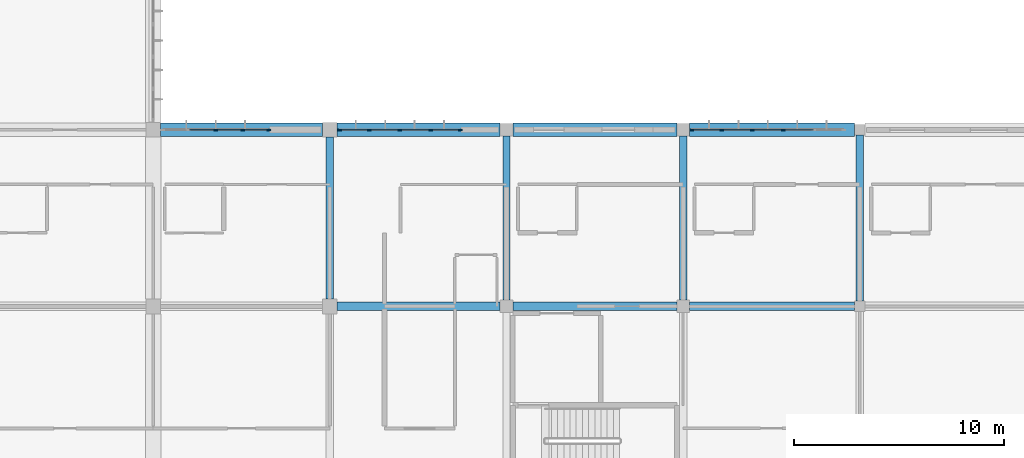
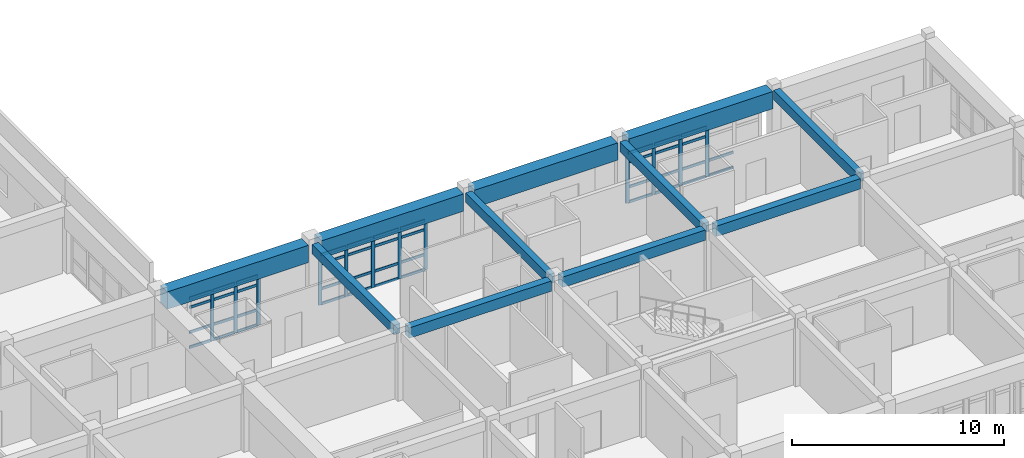
# One storey, part 45 of 119: 54 members, 11 beams, 3 elements without a shape of their own.
"""IFC4 building model written with IfcOpenShell, lengths in metres."""

from ifc_helpers import new_model, si_unit, direction, frame, origin, origin_2d, place, context, subcontext, project, spatial, rectangle, extrude, material, layer, layer_set, material_profile, profile_set, type_object, element, aggregate, save


model = new_model("IFC4")

# Units and contexts
model_context = context("Model", 3, precision=1e-05, world=origin(), true_north=direction((0.0, 1.0)))
body_context = subcontext(model_context, "Body", "Model", "MODEL_VIEW")
ifc_project = project(units=[si_unit("LENGTHUNIT", "METRE"), si_unit("AREAUNIT", "SQUARE_METRE"), si_unit("VOLUMEUNIT", "CUBIC_METRE"), si_unit("PLANEANGLEUNIT", "RADIAN"), si_unit("MASSUNIT", "GRAM", prefix="KILO")], contexts=[model_context])

# Site, building, storey
site_placement = place(None, origin())
site = spatial("IfcSite", under=ifc_project, at=site_placement, CompositionType="ELEMENT")
building_placement = place(site_placement, origin())
building = spatial("IfcBuilding", under=site, at=building_placement, Name="Bramfleet General Hospital", CompositionType="ELEMENT")
storey_placement = place(building_placement, frame((0.0, 0.0, 14.39990234375)))
storey = spatial("IfcBuildingStorey", under=building, at=storey_placement, Name="L03", CompositionType="ELEMENT", Elevation=14.39990234375)

# Beams
ifc_material_1 = material(Name="Concrete C35/45", Category="concrete")
ifc_material_profile_1 = material_profile(ifc_material_1, rectangle(XDim=0.35009765625, YDim=0.550048828125, at=origin_2d()), Name="RC BM 550x350")
ifc_profile_set_1 = profile_set([ifc_material_profile_1], Name="Concrete C35/45")
beam_type_1 = type_object("IfcBeamType", Name="BM-RC550", PredefinedType="BEAM", material=ifc_profile_set_1)
beam_1_placement = place(storey_placement, frame((134.39990234375, 17.14990234375, 3.625), z_axis=(0.0, 1.0, 0.0), x_axis=(-1.0, 0.0, 0.0)))
element("IfcBeam", 1, at=beam_1_placement, inside=storey, type_object=beam_type_1, Name="L03 Grid Beam Y 16-02", PredefinedType="BEAM", context=body_context, shape_type="SweptSolid", body=[
    extrude(rectangle(XDim=0.35009765625, YDim=0.550048828125, at=origin_2d()), origin(), (0.0, 0.0, 1.0), 7.7001953125),
])
for number, where, z_axis, x_axis, name in (
    (2, (142.800048828125, 17.10009765625, 3.625), (0.0, 1.0, 0.0), (-1.0, 0.0, 0.0), "L03 Grid Beam Y 17-02"),
    (3, (151.199951171875, 17.10009765625, 3.625), (0.0, 1.0, 0.0), (-1.0, 0.0, 0.0), "L03 Grid Beam Y 18-02"),
):
    element("IfcBeam", number, at=place(storey_placement, frame(where, z_axis=z_axis, x_axis=x_axis)), inside=storey, type_object=beam_type_1, Name=name, PredefinedType="BEAM", context=body_context, shape_type="SweptSolid", body=[
        extrude(rectangle(XDim=0.35009765625, YDim=0.550048828125, at=origin_2d()), origin(), (0.0, 0.0, 1.0), 7.7998046875),
    ])
beam_2_placement = place(storey_placement, frame((159.60009765625, 17.050048828125, 3.625), z_axis=(0.0, 1.0, 0.0), x_axis=(-1.0, 0.0, 0.0)))
element("IfcBeam", 4, at=beam_2_placement, inside=storey, type_object=beam_type_1, Name="L03 Grid Beam Y 19-02", PredefinedType="BEAM", context=body_context, shape_type="SweptSolid", body=[
    extrude(rectangle(XDim=0.35009765625, YDim=0.550048828125, at=origin_2d()), origin(), (0.0, 0.0, 1.0), 7.89990234375),
])
ifc_material_profile_2 = material_profile(ifc_material_1, rectangle(XDim=0.39990234375, YDim=0.60009765625, at=origin_2d()), Name="RC BM 600x400")
ifc_profile_set_2 = profile_set([ifc_material_profile_2], Name="Concrete C35/45")
beam_type_2 = type_object("IfcBeamType", Name="BM-RC600", PredefinedType="BEAM", material=ifc_profile_set_2)
beam_3_placement = place(storey_placement, frame((134.75, 16.800048828125, 3.60009765625), z_axis=(1.0, 0.0, 0.0), x_axis=(0.0, 1.0, 0.0)))
element("IfcBeam", 5, at=beam_3_placement, inside=storey, type_object=beam_type_2, Name="L03 Grid Beam X 16-02", PredefinedType="BEAM", context=body_context, shape_type="SweptSolid", body=[
    extrude(rectangle(XDim=0.39990234375, YDim=0.60009765625, at=origin_2d()), origin(), (0.0, 0.0, 1.0), 7.75),
])
beam_4_placement = place(storey_placement, frame((143.10009765625, 16.800048828125, 3.60009765625), z_axis=(1.0, 0.0, 0.0), x_axis=(0.0, 1.0, 0.0)))
element("IfcBeam", 6, at=beam_4_placement, inside=storey, type_object=beam_type_2, Name="L03 Grid Beam X 17-02", PredefinedType="BEAM", context=body_context, shape_type="SweptSolid", body=[
    extrude(rectangle(XDim=0.39990234375, YDim=0.60009765625, at=origin_2d()), origin(), (0.0, 0.0, 1.0), 7.7998046875),
])
beam_5_placement = place(storey_placement, frame((151.5, 16.800048828125, 3.60009765625), z_axis=(1.0, 0.0, 0.0), x_axis=(0.0, 1.0, 0.0)))
element("IfcBeam", 7, at=beam_5_placement, inside=storey, type_object=beam_type_2, Name="L03 Grid Beam X 18-02", PredefinedType="BEAM", context=body_context, shape_type="SweptSolid", body=[
    extrude(rectangle(XDim=0.39990234375, YDim=0.60009765625, at=origin_2d()), origin(), (0.0, 0.0, 1.0), 7.85009765625),
])
ifc_material_2 = material(Name="Concrete C40/50", Category="concrete")
ifc_material_profile_3 = material_profile(ifc_material_2, rectangle(XDim=0.64990234375, YDim=1.0, at=origin_2d()), Name="RC TG 1000x650")
ifc_profile_set_3 = profile_set([ifc_material_profile_3], Name="Concrete C40/50")
beam_type_3 = type_object("IfcBeamType", Name="BM-TG1000", PredefinedType="BEAM", material=ifc_profile_set_3)
beam_6_placement = place(storey_placement, frame((126.35009765625, 25.199951171875, 3.400146484375), z_axis=(1.0, 0.0, 0.0), x_axis=(0.0, 1.0, 0.0)))
element("IfcBeam", 8, at=beam_6_placement, inside=storey, type_object=beam_type_3, Name="L03 Transfer Girder X 15-03", PredefinedType="BEAM", context=body_context, shape_type="SweptSolid", body=[
    extrude(rectangle(XDim=0.64990234375, YDim=1.0, at=origin_2d()), origin(), (0.0, 0.0, 1.0), 7.699951171875),
])
beam_7_placement = place(storey_placement, frame((134.75, 25.199951171875, 3.400146484375), z_axis=(1.0, 0.0, 0.0), x_axis=(0.0, 1.0, 0.0)))
element("IfcBeam", 9, at=beam_7_placement, inside=storey, type_object=beam_type_3, Name="L03 Transfer Girder X 16-03", PredefinedType="BEAM", context=body_context, shape_type="SweptSolid", body=[
    extrude(rectangle(XDim=0.64990234375, YDim=1.0, at=origin_2d()), origin(), (0.0, 0.0, 1.0), 7.75),
])
beam_8_placement = place(storey_placement, frame((143.10009765625, 25.199951171875, 3.400146484375), z_axis=(1.0, 0.0, 0.0), x_axis=(0.0, 1.0, 0.0)))
element("IfcBeam", 10, at=beam_8_placement, inside=storey, type_object=beam_type_3, Name="L03 Transfer Girder X 17-03", PredefinedType="BEAM", context=body_context, shape_type="SweptSolid", body=[
    extrude(rectangle(XDim=0.64990234375, YDim=1.0, at=origin_2d()), origin(), (0.0, 0.0, 1.0), 7.7998046875),
])
beam_9_placement = place(storey_placement, frame((151.5, 25.199951171875, 3.400146484375), z_axis=(1.0, 0.0, 0.0), x_axis=(0.0, 1.0, 0.0)))
element("IfcBeam", 11, at=beam_9_placement, inside=storey, type_object=beam_type_3, Name="L03 Transfer Girder X 18-03", PredefinedType="BEAM", context=body_context, shape_type="SweptSolid", body=[
    extrude(rectangle(XDim=0.64990234375, YDim=1.0, at=origin_2d()), origin(), (0.0, 0.0, 1.0), 7.85009765625),
])

# Curtain wall, members
ifc_material_3 = material(Name="Anodised aluminium and low-E triple glazing", Category="aluminium")
ifc_layer_1 = layer(ifc_material_3, 0.179931640625, Name="CWT-CW-02")
ifc_layer_set_1 = layer_set([ifc_layer_1], Name="Anodised aluminium and low-E triple glazing")
curtain_wall_type_1 = type_object("IfcCurtainWallType", Name="CWT-CW-02", PredefinedType="USERDEFINED", material=ifc_layer_set_1)
curtain_wall_1_placement = place(storey_placement, origin())
curtain_wall_1 = element("IfcCurtainWall", 12, at=curtain_wall_1_placement, inside=storey, type_object=curtain_wall_type_1, Name="L03 Curtain Wall 164", ObjectType="Unitised curtain wall", PredefinedType="USERDEFINED")
ifc_material_4 = material(Name="Structural timber GL28h", Category="wood")
ifc_material_profile_4 = material_profile(ifc_material_4, rectangle(XDim=0.070068359375, YDim=0.18994140625, at=origin_2d()), Name="LARCH 190x70")
ifc_profile_set_4 = profile_set([ifc_material_profile_4], Name="Structural timber GL28h")
member_type_1 = type_object("IfcMemberType", Name="CWM-LARCH450", PredefinedType="MULLION", material=ifc_profile_set_4)
member_1_placement = place(storey_placement, frame((128.972900390625, 25.199951171875, 0.0), z_axis=(0.0, 0.0, 1.0), x_axis=(0.0, 1.0, 0.0)))
member_1 = element("IfcMember", 13, at=member_1_placement, type_object=member_type_1, Name="CW-02 mullion 3", PredefinedType="MULLION", context=body_context, shape_type="SweptSolid", body=[
    extrude(rectangle(XDim=0.070068359375, YDim=0.18994140625, at=origin_2d()), origin(), (0.0, 0.0, 1.0), 2.89013671875),
])
member_2_placement = place(storey_placement, frame((130.2470703125, 25.199951171875, 0.0), z_axis=(0.0, 0.0, 1.0), x_axis=(0.0, 1.0, 0.0)))
member_2 = element("IfcMember", 14, at=member_2_placement, type_object=member_type_1, Name="CW-02 mullion 4", PredefinedType="MULLION", context=body_context, shape_type="SweptSolid", body=[
    extrude(rectangle(XDim=0.070068359375, YDim=0.18994140625, at=origin_2d()), origin(), (0.0, 0.0, 1.0), 2.89013671875),
])
member_3_placement = place(storey_placement, frame((131.486083984375, 25.199951171875, 0.0), z_axis=(0.0, 0.0, 1.0), x_axis=(0.0, 1.0, 0.0)))
member_3 = element("IfcMember", 15, at=member_3_placement, type_object=member_type_1, Name="CW-02 mullion 5", PredefinedType="MULLION", context=body_context, shape_type="SweptSolid", body=[
    extrude(rectangle(XDim=0.070068359375, YDim=0.18994140625, at=origin_2d()), origin(), (0.0, 0.0, 1.0), 2.89013671875),
])

ifc_layer_2 = layer(ifc_material_3, 0.179931640625, Name="CWT-CW-03")
ifc_layer_set_2 = layer_set([ifc_layer_2], Name="Anodised aluminium and low-E triple glazing")
curtain_wall_type_2 = type_object("IfcCurtainWallType", Name="CWT-CW-03", PredefinedType="USERDEFINED", material=ifc_layer_set_2)
curtain_wall_2_placement = place(storey_placement, origin())
curtain_wall_2 = element("IfcCurtainWall", 16, at=curtain_wall_2_placement, inside=storey, type_object=curtain_wall_type_2, Name="L03 Curtain Wall 165", ObjectType="Unitised curtain wall", PredefinedType="USERDEFINED")
member_4_placement = place(storey_placement, frame((134.860107421875, 25.199951171875, 0.0), z_axis=(0.0, 0.0, 1.0), x_axis=(0.0, 1.0, 0.0)))
member_4 = element("IfcMember", 17, at=member_4_placement, type_object=member_type_1, Name="CW-03 mullion 1", PredefinedType="MULLION", context=body_context, shape_type="SweptSolid", body=[
    extrude(rectangle(XDim=0.070068359375, YDim=0.18994140625, at=origin_2d()), origin(), (0.0, 0.0, 1.0), 2.89013671875),
])
member_5_placement = place(storey_placement, frame((136.279052734375, 25.199951171875, 0.0), z_axis=(0.0, 0.0, 1.0), x_axis=(0.0, 1.0, 0.0)))
member_5 = element("IfcMember", 18, at=member_5_placement, type_object=member_type_1, Name="CW-03 mullion 2", PredefinedType="MULLION", context=body_context, shape_type="SweptSolid", body=[
    extrude(rectangle(XDim=0.070068359375, YDim=0.18994140625, at=origin_2d()), origin(), (0.0, 0.0, 1.0), 2.89013671875),
])
member_6_placement = place(storey_placement, frame((137.73291015625, 25.199951171875, 0.0), z_axis=(0.0, 0.0, 1.0), x_axis=(0.0, 1.0, 0.0)))
member_6 = element("IfcMember", 19, at=member_6_placement, type_object=member_type_1, Name="CW-03 mullion 3", PredefinedType="MULLION", context=body_context, shape_type="SweptSolid", body=[
    extrude(rectangle(XDim=0.070068359375, YDim=0.18994140625, at=origin_2d()), origin(), (0.0, 0.0, 1.0), 2.89013671875),
])
member_7_placement = place(storey_placement, frame((139.18701171875, 25.199951171875, 0.0), z_axis=(0.0, 0.0, 1.0), x_axis=(0.0, 1.0, 0.0)))
member_7 = element("IfcMember", 20, at=member_7_placement, type_object=member_type_1, Name="CW-03 mullion 4", PredefinedType="MULLION", context=body_context, shape_type="SweptSolid", body=[
    extrude(rectangle(XDim=0.070068359375, YDim=0.18994140625, at=origin_2d()), origin(), (0.0, 0.0, 1.0), 2.89013671875),
])
member_8_placement = place(storey_placement, frame((140.60595703125, 25.199951171875, 0.0), z_axis=(0.0, 0.0, 1.0), x_axis=(0.0, 1.0, 0.0)))
member_8 = element("IfcMember", 21, at=member_8_placement, type_object=member_type_1, Name="CW-03 mullion 5", PredefinedType="MULLION", context=body_context, shape_type="SweptSolid", body=[
    extrude(rectangle(XDim=0.070068359375, YDim=0.18994140625, at=origin_2d()), origin(), (0.0, 0.0, 1.0), 2.89013671875),
])

ifc_layer_3 = layer(ifc_material_3, 0.179931640625, Name="CWT-CW-04")
ifc_layer_set_3 = layer_set([ifc_layer_3], Name="Anodised aluminium and low-E triple glazing")
curtain_wall_type_3 = type_object("IfcCurtainWallType", Name="CWT-CW-04", PredefinedType="USERDEFINED", material=ifc_layer_set_3)
curtain_wall_3_placement = place(storey_placement, origin())
curtain_wall_3 = element("IfcCurtainWall", 22, at=curtain_wall_3_placement, inside=storey, type_object=curtain_wall_type_3, Name="L03 Curtain Wall 166", ObjectType="Unitised curtain wall", PredefinedType="USERDEFINED")
member_9_placement = place(storey_placement, frame((151.610107421875, 25.199951171875, 0.0), z_axis=(0.0, 0.0, 1.0), x_axis=(0.0, 1.0, 0.0)))
member_9 = element("IfcMember", 23, at=member_9_placement, type_object=member_type_1, Name="CW-04 mullion 1", PredefinedType="MULLION", context=body_context, shape_type="SweptSolid", body=[
    extrude(rectangle(XDim=0.070068359375, YDim=0.18994140625, at=origin_2d()), origin(), (0.0, 0.0, 1.0), 2.89013671875),
])
member_10_placement = place(storey_placement, frame((153.035888671875, 25.199951171875, 0.0), z_axis=(0.0, 0.0, 1.0), x_axis=(0.0, 1.0, 0.0)))
member_10 = element("IfcMember", 24, at=member_10_placement, type_object=member_type_1, Name="CW-04 mullion 2", PredefinedType="MULLION", context=body_context, shape_type="SweptSolid", body=[
    extrude(rectangle(XDim=0.070068359375, YDim=0.18994140625, at=origin_2d()), origin(), (0.0, 0.0, 1.0), 2.89013671875),
])
member_11_placement = place(storey_placement, frame((154.4970703125, 25.199951171875, 0.0), z_axis=(0.0, 0.0, 1.0), x_axis=(0.0, 1.0, 0.0)))
member_11 = element("IfcMember", 25, at=member_11_placement, type_object=member_type_1, Name="CW-04 mullion 3", PredefinedType="MULLION", context=body_context, shape_type="SweptSolid", body=[
    extrude(rectangle(XDim=0.070068359375, YDim=0.18994140625, at=origin_2d()), origin(), (0.0, 0.0, 1.0), 2.89013671875),
])
member_12_placement = place(storey_placement, frame((155.9580078125, 25.199951171875, 0.0), z_axis=(0.0, 0.0, 1.0), x_axis=(0.0, 1.0, 0.0)))
member_12 = element("IfcMember", 26, at=member_12_placement, type_object=member_type_1, Name="CW-04 mullion 4", PredefinedType="MULLION", context=body_context, shape_type="SweptSolid", body=[
    extrude(rectangle(XDim=0.070068359375, YDim=0.18994140625, at=origin_2d()), origin(), (0.0, 0.0, 1.0), 2.89013671875),
])

# Member
ifc_material_profile_5 = material_profile(ifc_material_4, rectangle(XDim=0.06494140625, YDim=0.14990234375, at=origin_2d()), Name="LARCH 150x65")
ifc_profile_set_5 = profile_set([ifc_material_profile_5], Name="Structural timber GL28h")
member_type_2 = type_object("IfcMemberType", Name="CWT-LARCH220", PredefinedType="USERDEFINED", material=ifc_profile_set_5)
member_13_placement = place(storey_placement, frame((127.73388671875, 25.199951171875, 0.03271484375), z_axis=(1.0, 0.0, 0.0), x_axis=(0.0, 1.0, 0.0)))
member_13 = element("IfcMember", 27, at=member_13_placement, type_object=member_type_2, Name="CW-02 transom 2.1", ObjectType="TRANSOM", PredefinedType="USERDEFINED", context=body_context, shape_type="SweptSolid", body=[
    extrude(rectangle(XDim=0.06494140625, YDim=0.14990234375, at=origin_2d()), origin(), (0.0, 0.0, 1.0), 1.2041015625),
])

member_14_placement = place(storey_placement, frame((127.73388671875, 25.199951171875, 0.900146484375), z_axis=(1.0, 0.0, 0.0), x_axis=(0.0, 1.0, 0.0)))
member_14 = element("IfcMember", 28, at=member_14_placement, type_object=member_type_2, Name="CW-02 transom 2.2", ObjectType="TRANSOM", PredefinedType="USERDEFINED", context=body_context, shape_type="SweptSolid", body=[
    extrude(rectangle(XDim=0.06494140625, YDim=0.14990234375, at=origin_2d()), origin(), (0.0, 0.0, 1.0), 1.2041015625),
])

member_15_placement = place(storey_placement, frame((127.73388671875, 25.199951171875, 2.340087890625), z_axis=(1.0, 0.0, 0.0), x_axis=(0.0, 1.0, 0.0)))
member_15 = element("IfcMember", 29, at=member_15_placement, type_object=member_type_2, Name="CW-02 transom 2.3", ObjectType="TRANSOM", PredefinedType="USERDEFINED", context=body_context, shape_type="SweptSolid", body=[
    extrude(rectangle(XDim=0.06494140625, YDim=0.14990234375, at=origin_2d()), origin(), (0.0, 0.0, 1.0), 1.2041015625),
])

member_16_placement = place(storey_placement, frame((127.73388671875, 25.199951171875, 2.857666015625), z_axis=(1.0, 0.0, 0.0), x_axis=(0.0, 1.0, 0.0)))
member_16 = element("IfcMember", 30, at=member_16_placement, type_object=member_type_2, Name="CW-02 transom 2.4", ObjectType="TRANSOM", PredefinedType="USERDEFINED", context=body_context, shape_type="SweptSolid", body=[
    extrude(rectangle(XDim=0.06494140625, YDim=0.14990234375, at=origin_2d()), origin(), (0.0, 0.0, 1.0), 1.2041015625),
])

member_17_placement = place(storey_placement, frame((129.008056640625, 25.199951171875, 0.03271484375), z_axis=(1.0, 0.0, 0.0), x_axis=(0.0, 1.0, 0.0)))
member_17 = element("IfcMember", 31, at=member_17_placement, type_object=member_type_2, Name="CW-02 transom 3.1", ObjectType="TRANSOM", PredefinedType="USERDEFINED", context=body_context, shape_type="SweptSolid", body=[
    extrude(rectangle(XDim=0.06494140625, YDim=0.14990234375, at=origin_2d()), origin(), (0.0, 0.0, 1.0), 1.203857421875),
])

member_18_placement = place(storey_placement, frame((129.008056640625, 25.199951171875, 0.900146484375), z_axis=(1.0, 0.0, 0.0), x_axis=(0.0, 1.0, 0.0)))
member_18 = element("IfcMember", 32, at=member_18_placement, type_object=member_type_2, Name="CW-02 transom 3.2", ObjectType="TRANSOM", PredefinedType="USERDEFINED", context=body_context, shape_type="SweptSolid", body=[
    extrude(rectangle(XDim=0.06494140625, YDim=0.14990234375, at=origin_2d()), origin(), (0.0, 0.0, 1.0), 1.203857421875),
])

member_19_placement = place(storey_placement, frame((129.008056640625, 25.199951171875, 2.340087890625), z_axis=(1.0, 0.0, 0.0), x_axis=(0.0, 1.0, 0.0)))
member_19 = element("IfcMember", 33, at=member_19_placement, type_object=member_type_2, Name="CW-02 transom 3.3", ObjectType="TRANSOM", PredefinedType="USERDEFINED", context=body_context, shape_type="SweptSolid", body=[
    extrude(rectangle(XDim=0.06494140625, YDim=0.14990234375, at=origin_2d()), origin(), (0.0, 0.0, 1.0), 1.203857421875),
])

member_20_placement = place(storey_placement, frame((129.008056640625, 25.199951171875, 2.857666015625), z_axis=(1.0, 0.0, 0.0), x_axis=(0.0, 1.0, 0.0)))
member_20 = element("IfcMember", 34, at=member_20_placement, type_object=member_type_2, Name="CW-02 transom 3.4", ObjectType="TRANSOM", PredefinedType="USERDEFINED", context=body_context, shape_type="SweptSolid", body=[
    extrude(rectangle(XDim=0.06494140625, YDim=0.14990234375, at=origin_2d()), origin(), (0.0, 0.0, 1.0), 1.203857421875),
])

member_21_placement = place(storey_placement, frame((130.281982421875, 25.199951171875, 0.03271484375), z_axis=(1.0, 0.0, 0.0), x_axis=(0.0, 1.0, 0.0)))
member_21 = element("IfcMember", 35, at=member_21_placement, type_object=member_type_2, Name="CW-02 transom 4.1", ObjectType="TRANSOM", PredefinedType="USERDEFINED", context=body_context, shape_type="SweptSolid", body=[
    extrude(rectangle(XDim=0.06494140625, YDim=0.14990234375, at=origin_2d()), origin(), (0.0, 0.0, 1.0), 1.1689453125),
])

member_22_placement = place(storey_placement, frame((130.281982421875, 25.199951171875, 0.900146484375), z_axis=(1.0, 0.0, 0.0), x_axis=(0.0, 1.0, 0.0)))
member_22 = element("IfcMember", 36, at=member_22_placement, type_object=member_type_2, Name="CW-02 transom 4.2", ObjectType="TRANSOM", PredefinedType="USERDEFINED", context=body_context, shape_type="SweptSolid", body=[
    extrude(rectangle(XDim=0.06494140625, YDim=0.14990234375, at=origin_2d()), origin(), (0.0, 0.0, 1.0), 1.1689453125),
])

member_23_placement = place(storey_placement, frame((130.281982421875, 25.199951171875, 2.340087890625), z_axis=(1.0, 0.0, 0.0), x_axis=(0.0, 1.0, 0.0)))
member_23 = element("IfcMember", 37, at=member_23_placement, type_object=member_type_2, Name="CW-02 transom 4.3", ObjectType="TRANSOM", PredefinedType="USERDEFINED", context=body_context, shape_type="SweptSolid", body=[
    extrude(rectangle(XDim=0.06494140625, YDim=0.14990234375, at=origin_2d()), origin(), (0.0, 0.0, 1.0), 1.1689453125),
])

member_24_placement = place(storey_placement, frame((130.281982421875, 25.199951171875, 2.857666015625), z_axis=(1.0, 0.0, 0.0), x_axis=(0.0, 1.0, 0.0)))
member_24 = element("IfcMember", 38, at=member_24_placement, type_object=member_type_2, Name="CW-02 transom 4.4", ObjectType="TRANSOM", PredefinedType="USERDEFINED", context=body_context, shape_type="SweptSolid", body=[
    extrude(rectangle(XDim=0.06494140625, YDim=0.14990234375, at=origin_2d()), origin(), (0.0, 0.0, 1.0), 1.1689453125),
])

aggregate(curtain_wall_1, [member_1, member_2, member_3, member_13, member_14, member_15, member_16, member_17, member_18, member_19, member_20, member_21, member_22, member_23, member_24])

member_25_placement = place(storey_placement, frame((134.89501953125, 25.199951171875, 0.03271484375), z_axis=(1.0, 0.0, 0.0), x_axis=(0.0, 1.0, 0.0)))
member_25 = element("IfcMember", 39, at=member_25_placement, type_object=member_type_2, Name="CW-03 transom 1.1", ObjectType="TRANSOM", PredefinedType="USERDEFINED", context=body_context, shape_type="SweptSolid", body=[
    extrude(rectangle(XDim=0.06494140625, YDim=0.14990234375, at=origin_2d()), origin(), (0.0, 0.0, 1.0), 1.348876953125),
])

member_26_placement = place(storey_placement, frame((134.89501953125, 25.199951171875, 0.900146484375), z_axis=(1.0, 0.0, 0.0), x_axis=(0.0, 1.0, 0.0)))
member_26 = element("IfcMember", 40, at=member_26_placement, type_object=member_type_2, Name="CW-03 transom 1.2", ObjectType="TRANSOM", PredefinedType="USERDEFINED", context=body_context, shape_type="SweptSolid", body=[
    extrude(rectangle(XDim=0.06494140625, YDim=0.14990234375, at=origin_2d()), origin(), (0.0, 0.0, 1.0), 1.348876953125),
])

member_27_placement = place(storey_placement, frame((134.89501953125, 25.199951171875, 2.340087890625), z_axis=(1.0, 0.0, 0.0), x_axis=(0.0, 1.0, 0.0)))
member_27 = element("IfcMember", 41, at=member_27_placement, type_object=member_type_2, Name="CW-03 transom 1.3", ObjectType="TRANSOM", PredefinedType="USERDEFINED", context=body_context, shape_type="SweptSolid", body=[
    extrude(rectangle(XDim=0.06494140625, YDim=0.14990234375, at=origin_2d()), origin(), (0.0, 0.0, 1.0), 1.348876953125),
])

member_28_placement = place(storey_placement, frame((134.89501953125, 25.199951171875, 2.857666015625), z_axis=(1.0, 0.0, 0.0), x_axis=(0.0, 1.0, 0.0)))
member_28 = element("IfcMember", 42, at=member_28_placement, type_object=member_type_2, Name="CW-03 transom 1.4", ObjectType="TRANSOM", PredefinedType="USERDEFINED", context=body_context, shape_type="SweptSolid", body=[
    extrude(rectangle(XDim=0.06494140625, YDim=0.14990234375, at=origin_2d()), origin(), (0.0, 0.0, 1.0), 1.348876953125),
])

member_29_placement = place(storey_placement, frame((136.31396484375, 25.199951171875, 0.03271484375), z_axis=(1.0, 0.0, 0.0), x_axis=(0.0, 1.0, 0.0)))
member_29 = element("IfcMember", 43, at=member_29_placement, type_object=member_type_2, Name="CW-03 transom 2.1", ObjectType="TRANSOM", PredefinedType="USERDEFINED", context=body_context, shape_type="SweptSolid", body=[
    extrude(rectangle(XDim=0.06494140625, YDim=0.14990234375, at=origin_2d()), origin(), (0.0, 0.0, 1.0), 1.384033203125),
])

member_30_placement = place(storey_placement, frame((136.31396484375, 25.199951171875, 0.900146484375), z_axis=(1.0, 0.0, 0.0), x_axis=(0.0, 1.0, 0.0)))
member_30 = element("IfcMember", 44, at=member_30_placement, type_object=member_type_2, Name="CW-03 transom 2.2", ObjectType="TRANSOM", PredefinedType="USERDEFINED", context=body_context, shape_type="SweptSolid", body=[
    extrude(rectangle(XDim=0.06494140625, YDim=0.14990234375, at=origin_2d()), origin(), (0.0, 0.0, 1.0), 1.384033203125),
])

member_31_placement = place(storey_placement, frame((136.31396484375, 25.199951171875, 2.340087890625), z_axis=(1.0, 0.0, 0.0), x_axis=(0.0, 1.0, 0.0)))
member_31 = element("IfcMember", 45, at=member_31_placement, type_object=member_type_2, Name="CW-03 transom 2.3", ObjectType="TRANSOM", PredefinedType="USERDEFINED", context=body_context, shape_type="SweptSolid", body=[
    extrude(rectangle(XDim=0.06494140625, YDim=0.14990234375, at=origin_2d()), origin(), (0.0, 0.0, 1.0), 1.384033203125),
])

member_32_placement = place(storey_placement, frame((136.31396484375, 25.199951171875, 2.857666015625), z_axis=(1.0, 0.0, 0.0), x_axis=(0.0, 1.0, 0.0)))
member_32 = element("IfcMember", 46, at=member_32_placement, type_object=member_type_2, Name="CW-03 transom 2.4", ObjectType="TRANSOM", PredefinedType="USERDEFINED", context=body_context, shape_type="SweptSolid", body=[
    extrude(rectangle(XDim=0.06494140625, YDim=0.14990234375, at=origin_2d()), origin(), (0.0, 0.0, 1.0), 1.384033203125),
])

member_33_placement = place(storey_placement, frame((137.76806640625, 25.199951171875, 0.03271484375), z_axis=(1.0, 0.0, 0.0), x_axis=(0.0, 1.0, 0.0)))
member_33 = element("IfcMember", 47, at=member_33_placement, type_object=member_type_2, Name="CW-03 transom 3.1", ObjectType="TRANSOM", PredefinedType="USERDEFINED", context=body_context, shape_type="SweptSolid", body=[
    extrude(rectangle(XDim=0.06494140625, YDim=0.14990234375, at=origin_2d()), origin(), (0.0, 0.0, 1.0), 1.384033203125),
])

member_34_placement = place(storey_placement, frame((137.76806640625, 25.199951171875, 0.900146484375), z_axis=(1.0, 0.0, 0.0), x_axis=(0.0, 1.0, 0.0)))
member_34 = element("IfcMember", 48, at=member_34_placement, type_object=member_type_2, Name="CW-03 transom 3.2", ObjectType="TRANSOM", PredefinedType="USERDEFINED", context=body_context, shape_type="SweptSolid", body=[
    extrude(rectangle(XDim=0.06494140625, YDim=0.14990234375, at=origin_2d()), origin(), (0.0, 0.0, 1.0), 1.384033203125),
])

member_35_placement = place(storey_placement, frame((137.76806640625, 25.199951171875, 2.340087890625), z_axis=(1.0, 0.0, 0.0), x_axis=(0.0, 1.0, 0.0)))
member_35 = element("IfcMember", 49, at=member_35_placement, type_object=member_type_2, Name="CW-03 transom 3.3", ObjectType="TRANSOM", PredefinedType="USERDEFINED", context=body_context, shape_type="SweptSolid", body=[
    extrude(rectangle(XDim=0.06494140625, YDim=0.14990234375, at=origin_2d()), origin(), (0.0, 0.0, 1.0), 1.384033203125),
])

member_36_placement = place(storey_placement, frame((137.76806640625, 25.199951171875, 2.857666015625), z_axis=(1.0, 0.0, 0.0), x_axis=(0.0, 1.0, 0.0)))
member_36 = element("IfcMember", 50, at=member_36_placement, type_object=member_type_2, Name="CW-03 transom 3.4", ObjectType="TRANSOM", PredefinedType="USERDEFINED", context=body_context, shape_type="SweptSolid", body=[
    extrude(rectangle(XDim=0.06494140625, YDim=0.14990234375, at=origin_2d()), origin(), (0.0, 0.0, 1.0), 1.384033203125),
])

member_37_placement = place(storey_placement, frame((139.221923828125, 25.199951171875, 0.03271484375), z_axis=(1.0, 0.0, 0.0), x_axis=(0.0, 1.0, 0.0)))
member_37 = element("IfcMember", 51, at=member_37_placement, type_object=member_type_2, Name="CW-03 transom 4.1", ObjectType="TRANSOM", PredefinedType="USERDEFINED", context=body_context, shape_type="SweptSolid", body=[
    extrude(rectangle(XDim=0.06494140625, YDim=0.14990234375, at=origin_2d()), origin(), (0.0, 0.0, 1.0), 1.34912109375),
])

member_38_placement = place(storey_placement, frame((139.221923828125, 25.199951171875, 0.900146484375), z_axis=(1.0, 0.0, 0.0), x_axis=(0.0, 1.0, 0.0)))
member_38 = element("IfcMember", 52, at=member_38_placement, type_object=member_type_2, Name="CW-03 transom 4.2", ObjectType="TRANSOM", PredefinedType="USERDEFINED", context=body_context, shape_type="SweptSolid", body=[
    extrude(rectangle(XDim=0.06494140625, YDim=0.14990234375, at=origin_2d()), origin(), (0.0, 0.0, 1.0), 1.34912109375),
])

member_39_placement = place(storey_placement, frame((139.221923828125, 25.199951171875, 2.340087890625), z_axis=(1.0, 0.0, 0.0), x_axis=(0.0, 1.0, 0.0)))
member_39 = element("IfcMember", 53, at=member_39_placement, type_object=member_type_2, Name="CW-03 transom 4.3", ObjectType="TRANSOM", PredefinedType="USERDEFINED", context=body_context, shape_type="SweptSolid", body=[
    extrude(rectangle(XDim=0.06494140625, YDim=0.14990234375, at=origin_2d()), origin(), (0.0, 0.0, 1.0), 1.34912109375),
])

member_40_placement = place(storey_placement, frame((139.221923828125, 25.199951171875, 2.857666015625), z_axis=(1.0, 0.0, 0.0), x_axis=(0.0, 1.0, 0.0)))
member_40 = element("IfcMember", 54, at=member_40_placement, type_object=member_type_2, Name="CW-03 transom 4.4", ObjectType="TRANSOM", PredefinedType="USERDEFINED", context=body_context, shape_type="SweptSolid", body=[
    extrude(rectangle(XDim=0.06494140625, YDim=0.14990234375, at=origin_2d()), origin(), (0.0, 0.0, 1.0), 1.34912109375),
])

aggregate(curtain_wall_2, [member_4, member_5, member_6, member_7, member_8, member_25, member_26, member_27, member_28, member_29, member_30, member_31, member_32, member_33, member_34, member_35, member_36, member_37, member_38, member_39, member_40])

member_41_placement = place(storey_placement, frame((151.64501953125, 25.199951171875, 0.03271484375), z_axis=(1.0, 0.0, 0.0), x_axis=(0.0, 1.0, 0.0)))
member_41 = element("IfcMember", 55, at=member_41_placement, type_object=member_type_2, Name="CW-04 transom 1.1", ObjectType="TRANSOM", PredefinedType="USERDEFINED", context=body_context, shape_type="SweptSolid", body=[
    extrude(rectangle(XDim=0.06494140625, YDim=0.14990234375, at=origin_2d()), origin(), (0.0, 0.0, 1.0), 1.35595703125),
])

member_42_placement = place(storey_placement, frame((151.64501953125, 25.199951171875, 0.900146484375), z_axis=(1.0, 0.0, 0.0), x_axis=(0.0, 1.0, 0.0)))
member_42 = element("IfcMember", 56, at=member_42_placement, type_object=member_type_2, Name="CW-04 transom 1.2", ObjectType="TRANSOM", PredefinedType="USERDEFINED", context=body_context, shape_type="SweptSolid", body=[
    extrude(rectangle(XDim=0.06494140625, YDim=0.14990234375, at=origin_2d()), origin(), (0.0, 0.0, 1.0), 1.35595703125),
])

member_43_placement = place(storey_placement, frame((151.64501953125, 25.199951171875, 2.340087890625), z_axis=(1.0, 0.0, 0.0), x_axis=(0.0, 1.0, 0.0)))
member_43 = element("IfcMember", 57, at=member_43_placement, type_object=member_type_2, Name="CW-04 transom 1.3", ObjectType="TRANSOM", PredefinedType="USERDEFINED", context=body_context, shape_type="SweptSolid", body=[
    extrude(rectangle(XDim=0.06494140625, YDim=0.14990234375, at=origin_2d()), origin(), (0.0, 0.0, 1.0), 1.35595703125),
])

member_44_placement = place(storey_placement, frame((151.64501953125, 25.199951171875, 2.857666015625), z_axis=(1.0, 0.0, 0.0), x_axis=(0.0, 1.0, 0.0)))
member_44 = element("IfcMember", 58, at=member_44_placement, type_object=member_type_2, Name="CW-04 transom 1.4", ObjectType="TRANSOM", PredefinedType="USERDEFINED", context=body_context, shape_type="SweptSolid", body=[
    extrude(rectangle(XDim=0.06494140625, YDim=0.14990234375, at=origin_2d()), origin(), (0.0, 0.0, 1.0), 1.35595703125),
])

member_45_placement = place(storey_placement, frame((153.071044921875, 25.199951171875, 0.03271484375), z_axis=(1.0, 0.0, 0.0), x_axis=(0.0, 1.0, 0.0)))
member_45 = element("IfcMember", 59, at=member_45_placement, type_object=member_type_2, Name="CW-04 transom 2.1", ObjectType="TRANSOM", PredefinedType="USERDEFINED", context=body_context, shape_type="SweptSolid", body=[
    extrude(rectangle(XDim=0.06494140625, YDim=0.14990234375, at=origin_2d()), origin(), (0.0, 0.0, 1.0), 1.390869140625),
])

member_46_placement = place(storey_placement, frame((153.071044921875, 25.199951171875, 0.900146484375), z_axis=(1.0, 0.0, 0.0), x_axis=(0.0, 1.0, 0.0)))
member_46 = element("IfcMember", 60, at=member_46_placement, type_object=member_type_2, Name="CW-04 transom 2.2", ObjectType="TRANSOM", PredefinedType="USERDEFINED", context=body_context, shape_type="SweptSolid", body=[
    extrude(rectangle(XDim=0.06494140625, YDim=0.14990234375, at=origin_2d()), origin(), (0.0, 0.0, 1.0), 1.390869140625),
])

member_47_placement = place(storey_placement, frame((153.071044921875, 25.199951171875, 2.340087890625), z_axis=(1.0, 0.0, 0.0), x_axis=(0.0, 1.0, 0.0)))
member_47 = element("IfcMember", 61, at=member_47_placement, type_object=member_type_2, Name="CW-04 transom 2.3", ObjectType="TRANSOM", PredefinedType="USERDEFINED", context=body_context, shape_type="SweptSolid", body=[
    extrude(rectangle(XDim=0.06494140625, YDim=0.14990234375, at=origin_2d()), origin(), (0.0, 0.0, 1.0), 1.390869140625),
])

member_48_placement = place(storey_placement, frame((153.071044921875, 25.199951171875, 2.857666015625), z_axis=(1.0, 0.0, 0.0), x_axis=(0.0, 1.0, 0.0)))
member_48 = element("IfcMember", 62, at=member_48_placement, type_object=member_type_2, Name="CW-04 transom 2.4", ObjectType="TRANSOM", PredefinedType="USERDEFINED", context=body_context, shape_type="SweptSolid", body=[
    extrude(rectangle(XDim=0.06494140625, YDim=0.14990234375, at=origin_2d()), origin(), (0.0, 0.0, 1.0), 1.390869140625),
])

member_49_placement = place(storey_placement, frame((154.531982421875, 25.199951171875, 0.03271484375), z_axis=(1.0, 0.0, 0.0), x_axis=(0.0, 1.0, 0.0)))
member_49 = element("IfcMember", 63, at=member_49_placement, type_object=member_type_2, Name="CW-04 transom 3.1", ObjectType="TRANSOM", PredefinedType="USERDEFINED", context=body_context, shape_type="SweptSolid", body=[
    extrude(rectangle(XDim=0.06494140625, YDim=0.14990234375, at=origin_2d()), origin(), (0.0, 0.0, 1.0), 1.39111328125),
])

member_50_placement = place(storey_placement, frame((154.531982421875, 25.199951171875, 0.900146484375), z_axis=(1.0, 0.0, 0.0), x_axis=(0.0, 1.0, 0.0)))
member_50 = element("IfcMember", 64, at=member_50_placement, type_object=member_type_2, Name="CW-04 transom 3.2", ObjectType="TRANSOM", PredefinedType="USERDEFINED", context=body_context, shape_type="SweptSolid", body=[
    extrude(rectangle(XDim=0.06494140625, YDim=0.14990234375, at=origin_2d()), origin(), (0.0, 0.0, 1.0), 1.39111328125),
])

member_51_placement = place(storey_placement, frame((154.531982421875, 25.199951171875, 2.340087890625), z_axis=(1.0, 0.0, 0.0), x_axis=(0.0, 1.0, 0.0)))
member_51 = element("IfcMember", 65, at=member_51_placement, type_object=member_type_2, Name="CW-04 transom 3.3", ObjectType="TRANSOM", PredefinedType="USERDEFINED", context=body_context, shape_type="SweptSolid", body=[
    extrude(rectangle(XDim=0.06494140625, YDim=0.14990234375, at=origin_2d()), origin(), (0.0, 0.0, 1.0), 1.39111328125),
])

member_52_placement = place(storey_placement, frame((154.531982421875, 25.199951171875, 2.857666015625), z_axis=(1.0, 0.0, 0.0), x_axis=(0.0, 1.0, 0.0)))
member_52 = element("IfcMember", 66, at=member_52_placement, type_object=member_type_2, Name="CW-04 transom 3.4", ObjectType="TRANSOM", PredefinedType="USERDEFINED", context=body_context, shape_type="SweptSolid", body=[
    extrude(rectangle(XDim=0.06494140625, YDim=0.14990234375, at=origin_2d()), origin(), (0.0, 0.0, 1.0), 1.39111328125),
])

member_53_placement = place(storey_placement, frame((155.992919921875, 25.199951171875, 0.03271484375), z_axis=(1.0, 0.0, 0.0), x_axis=(0.0, 1.0, 0.0)))
member_53 = element("IfcMember", 67, at=member_53_placement, type_object=member_type_2, Name="CW-04 transom 4.1", ObjectType="TRANSOM", PredefinedType="USERDEFINED", context=body_context, shape_type="SweptSolid", body=[
    extrude(rectangle(XDim=0.06494140625, YDim=0.14990234375, at=origin_2d()), origin(), (0.0, 0.0, 1.0), 1.39111328125),
])

member_54_placement = place(storey_placement, frame((155.992919921875, 25.199951171875, 0.900146484375), z_axis=(1.0, 0.0, 0.0), x_axis=(0.0, 1.0, 0.0)))
member_54 = element("IfcMember", 68, at=member_54_placement, type_object=member_type_2, Name="CW-04 transom 4.2", ObjectType="TRANSOM", PredefinedType="USERDEFINED", context=body_context, shape_type="SweptSolid", body=[
    extrude(rectangle(XDim=0.06494140625, YDim=0.14990234375, at=origin_2d()), origin(), (0.0, 0.0, 1.0), 1.39111328125),
])

aggregate(curtain_wall_3, [member_9, member_10, member_11, member_12, member_41, member_42, member_43, member_44, member_45, member_46, member_47, member_48, member_49, member_50, member_51, member_52, member_53, member_54])

save(model, "model.ifc")
